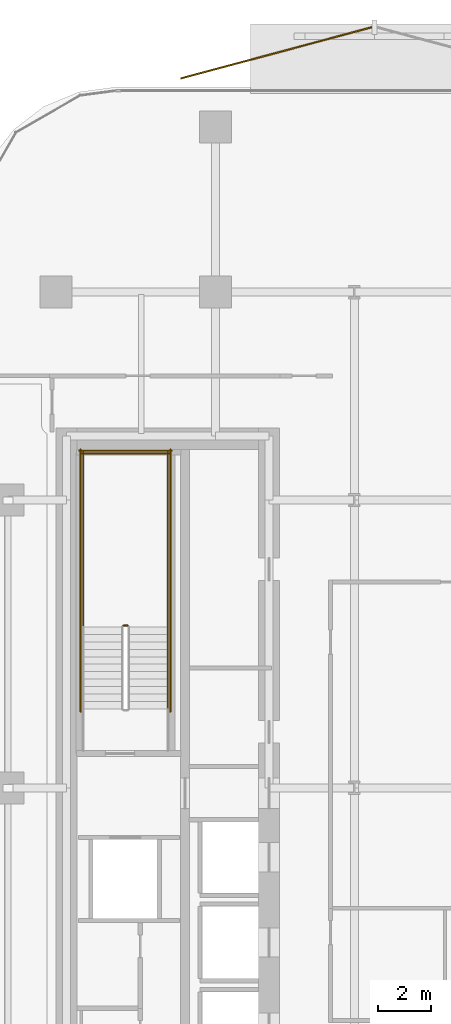
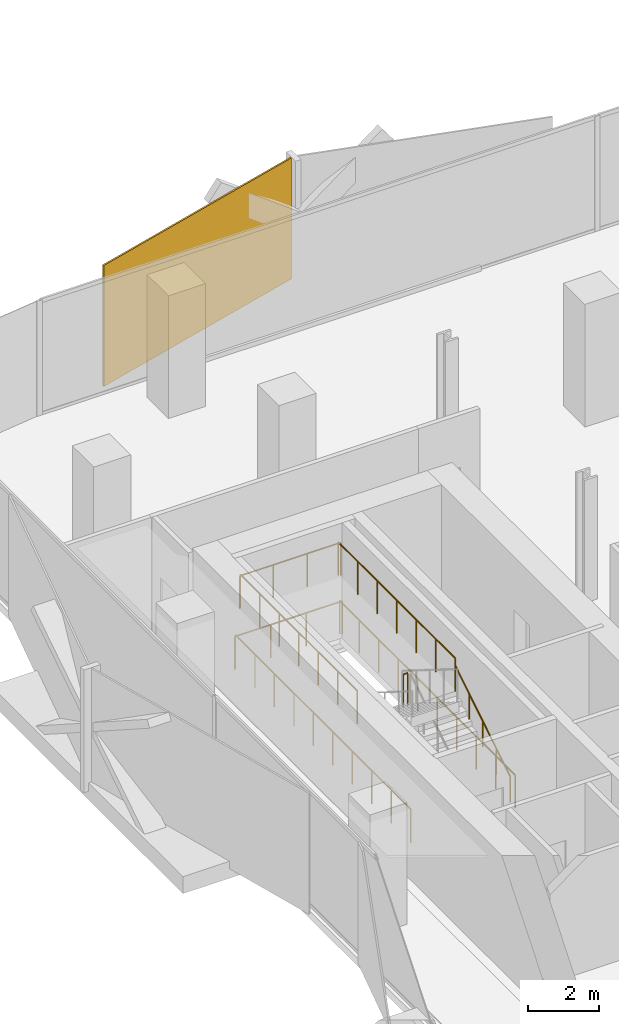
# One storey, part 15 of 16: 8 railings, 1 covering.
"""IFC4 building model written with IfcOpenShell, lengths in metres."""

import ifcopenshell
import ifcopenshell.guid

model = None  # the IFC model being written
_history = None  # IfcOwnerHistory: only IFC2X3 demands one
_inside = {}  # id of a spatial element -> (the spatial element, [elements in it])
_under = {}  # id of a project, library or spatial element -> (it, [spatial elements below it])
_declared = {}  # id of a project -> (the project, [libraries it declares])
_typed = {}  # id of a type object -> (the type object, [elements of that type])
_made_of = {}  # id of a material, layer set ... -> (it, [elements and type objects made of it])


def new_model(schema):
    """Start an empty IFC model of exactly this schema.

    Asked for "IFC4X3", IfcOpenShell would pick the latest addendum, in which some entities
    have other attributes; the version numbers below select the first issue.
    IFC2X3 requires an IfcOwnerHistory on every rooted entity: one is made here for all.
    """
    global model, _history
    if schema == "IFC4X3":
        model = ifcopenshell.file(schema_version=(4, 3, 0, 0))
    else:
        model = ifcopenshell.file(schema=schema)
    _inside.clear()
    _under.clear()
    _declared.clear()
    _typed.clear()
    _made_of.clear()
    _history = None
    if model.schema == "IFC2X3":
        org = make("IfcOrganization", Name="unknown")
        user = make(
            "IfcPersonAndOrganization",
            ThePerson=make("IfcPerson", FamilyName="unknown"),
            TheOrganization=org,
        )
        app = make(
            "IfcApplication",
            ApplicationDeveloper=org,
            Version="unknown",
            ApplicationFullName="unknown",
            ApplicationIdentifier="unknown",
        )
        _history = make(
            "IfcOwnerHistory",
            OwningUser=user,
            OwningApplication=app,
            ChangeAction="ADDED",
            CreationDate=0,
        )
    return model


def make(cls, **values):
    """One entity of the class cls with the attributes given. An attribute that is None is left unset."""
    return model.create_entity(
        cls, **{name: value for name, value in values.items() if value is not None}
    )


def rooted(cls, **values):
    """An entity with a GlobalId (a new one), such as an element, a storey or a relation."""
    return make(cls, GlobalId=ifcopenshell.guid.new(), OwnerHistory=_history, **values)


def si_unit(unit_type, name, prefix=None):
    """IfcSIUnit, for example si_unit("LENGTHUNIT", "METRE", prefix="MILLI")."""
    return make("IfcSIUnit", UnitType=unit_type, Prefix=prefix, Name=name)


def assignment(units):
    """IfcUnitAssignment: the units of a project."""
    return None if units is None else make("IfcUnitAssignment", Units=units)


def point(xyz):
    """IfcCartesianPoint."""
    return None if xyz is None else make("IfcCartesianPoint", Coordinates=xyz)


def direction(xyz):
    """IfcDirection."""
    return None if xyz is None else make("IfcDirection", DirectionRatios=xyz)


def frame(location, z_axis=None, x_axis=None):
    """IfcAxis2Placement3D, a coordinate frame: its origin and axes. An axis left out is left unset."""
    return make(
        "IfcAxis2Placement3D",
        Location=point(location),
        Axis=direction(z_axis),
        RefDirection=direction(x_axis),
    )


def frame_2d(location, x_axis=None):
    """IfcAxis2Placement2D, a coordinate frame in the plane: its origin and x axis."""
    return make(
        "IfcAxis2Placement2D", Location=point(location), RefDirection=direction(x_axis)
    )


def origin():
    """The frame at (0, 0, 0) with its axes left unset."""
    return frame((0.0, 0.0, 0.0))


def origin_2d():
    """The frame at (0, 0) in the plane with its x axis left unset."""
    return frame_2d((0.0, 0.0))


def place(relative_to, where):
    """IfcLocalPlacement: puts the frame where relative to a parent placement (None: the world)."""
    return make(
        "IfcLocalPlacement", PlacementRelTo=relative_to, RelativePlacement=where
    )


def context(
    kind, dimensions, precision=None, world=None, true_north=None, identifier=None
):
    """IfcGeometricRepresentationContext, for example the 3D "Model" context."""
    return make(
        "IfcGeometricRepresentationContext",
        ContextIdentifier=identifier,
        ContextType=kind,
        CoordinateSpaceDimension=dimensions,
        Precision=precision,
        WorldCoordinateSystem=world,
        TrueNorth=true_north,
    )


def subcontext(parent, identifier, kind, view, scale=None):
    """IfcGeometricRepresentationSubContext, for example "Body" below "Model"."""
    return make(
        "IfcGeometricRepresentationSubContext",
        ContextIdentifier=identifier,
        ContextType=kind,
        ParentContext=parent,
        TargetScale=scale,
        TargetView=view,
    )


def project(units=None, contexts=None):
    """IfcProject with its units and contexts."""
    return rooted(
        "IfcProject",
        Name="project",
        RepresentationContexts=contexts,
        UnitsInContext=assignment(units),
    )


def spatial(cls, under=None, at=None, **own):
    """A site, building, storey or space (cls), placed at a placement, below another one or the project."""
    s = rooted(cls, ObjectPlacement=at, **own)
    if under is not None:
        _under.setdefault(under.id(), (under, []))[1].append(s)
    return s


def profile(cls, at=None, kind="AREA", **sizes):
    """A parametric profile (cls). Its sizes go by their IFC names, for example OverallWidth=200.0."""
    return make(cls, ProfileType=kind, Position=at, **sizes)


def rectangle(**sizes):
    """IfcRectangleProfileDef."""
    return profile("IfcRectangleProfileDef", **sizes)


def circle(**sizes):
    """IfcCircleProfileDef."""
    return profile("IfcCircleProfileDef", **sizes)


def extrude(swept, where, along, depth):
    """IfcExtrudedAreaSolid: the profile swept, set in the frame where, extruded along a direction by depth."""
    return make(
        "IfcExtrudedAreaSolid",
        SweptArea=swept,
        Position=where,
        ExtrudedDirection=direction(along),
        Depth=depth,
    )


def shape(context_of_items, identifier, shape_type, items):
    """IfcShapeRepresentation: the items that make up one representation, for example the "Body"."""
    return make(
        "IfcShapeRepresentation",
        ContextOfItems=context_of_items,
        RepresentationIdentifier=identifier,
        RepresentationType=shape_type,
        Items=items,
    )


def material(Name=None, Category=None):
    """IfcMaterial."""
    return make("IfcMaterial", Name=Name, Category=Category)


def layer(
    of_material, thickness, ventilated=None, Name=None, Category=None, Priority=None
):
    """IfcMaterialLayer: one layer of a wall or slab, of a material (None: an air gap)."""
    return make(
        "IfcMaterialLayer",
        Material=of_material,
        LayerThickness=thickness,
        IsVentilated=ventilated,
        Name=Name,
        Category=Category,
        Priority=Priority,
    )


def layer_set(layers, Name=None):
    """IfcMaterialLayerSet."""
    return make("IfcMaterialLayerSet", MaterialLayers=layers, LayerSetName=Name)


def made_of(thing, what):
    """Note that an element or type object is made of a material, layer set ...; save() writes the relation."""
    if what is not None:
        _made_of.setdefault(what.id(), (what, []))[1].append(thing)
    return thing


def type_object(cls, material=None, **own):
    """A type object (cls), such as IfcWallType, which elements share."""
    return made_of(rooted(cls, **own), material)


def element(
    cls,
    number,
    at=None,
    inside=None,
    cuts=None,
    type_object=None,
    material=None,
    context=None,
    identifier="Body",
    shape_type=None,
    held_by="IfcProductDefinitionShape",
    body=None,
    shapes=None,
    **own,
):
    """One element of the class cls, such as IfcWall. Its Tag is "e" and its number.

    at: its placement. inside: the storey or other place that contains it. cuts: it is an
    opening in that element (IfcRelVoidsElement). A single representation is given by context,
    identifier, shape_type and body (its items); several are given by shapes. held_by: the class
    of the entity that holds the representations. save() writes the other relations.
    """
    e = rooted(cls, Tag="e%d" % number, ObjectPlacement=at, **own)
    if body is not None:
        shapes = [shape(context, identifier, shape_type, body)]
    if shapes is not None:
        e.Representation = make(held_by, Representations=shapes)
    if inside is not None:
        _inside.setdefault(inside.id(), (inside, []))[1].append(e)
    if cuts is not None:
        rooted(
            "IfcRelVoidsElement", RelatingBuildingElement=cuts, RelatedOpeningElement=e
        )
    if type_object is not None:
        _typed.setdefault(type_object.id(), (type_object, []))[1].append(e)
    return made_of(e, material)


def aggregate(whole, parts):
    """IfcRelAggregates: a whole, such as a stair, and the parts it consists of."""
    return rooted("IfcRelAggregates", RelatingObject=whole, RelatedObjects=parts)


def save(model, path):
    """Write the relations noted so far, then the file.

    IfcRelAggregates (storeys below a building ...), IfcRelContainedInSpatialStructure (elements
    in a storey), IfcRelDefinesByType, IfcRelAssociatesMaterial and IfcRelDeclares: one each for
    every whole, place, type object, material and project.
    """
    for whole, parts in _under.values():
        aggregate(whole, parts)
    for where, things in _inside.values():
        rooted(
            "IfcRelContainedInSpatialStructure",
            RelatedElements=things,
            RelatingStructure=where,
        )
    for kind, things in _typed.values():
        rooted("IfcRelDefinesByType", RelatedObjects=things, RelatingType=kind)
    for what, things in _made_of.values():
        rooted("IfcRelAssociatesMaterial", RelatedObjects=things, RelatingMaterial=what)
    for by, libraries in _declared.values():
        rooted("IfcRelDeclares", RelatingContext=by, RelatedDefinitions=libraries)
    model.write(path)


model = new_model("IFC4")

# Units and contexts
model_context = context("Model", 3, precision=1e-05, world=origin(), true_north=direction((0.0, 1.0)))
body_context = subcontext(model_context, "Body", "Model", "MODEL_VIEW")
ifc_project = project(units=[si_unit("LENGTHUNIT", "METRE"), si_unit("AREAUNIT", "SQUARE_METRE"), si_unit("VOLUMEUNIT", "CUBIC_METRE"), si_unit("PLANEANGLEUNIT", "RADIAN"), si_unit("MASSUNIT", "GRAM", prefix="KILO")], contexts=[model_context])

# Site, building, storey
site_placement = place(None, origin())
site = spatial("IfcSite", under=ifc_project, at=site_placement, CompositionType="ELEMENT")
building_placement = place(site_placement, origin())
building = spatial("IfcBuilding", under=site, at=building_placement, Name="Khairoan Windgate Tower", CompositionType="ELEMENT")
storey_placement = place(building_placement, frame((0.0, 0.0, 97.39990234375)))
storey = spatial("IfcBuildingStorey", under=building, at=storey_placement, Name="L22", CompositionType="ELEMENT", Elevation=97.39990234375)

# Covering
ifc_material_1 = material(Name="Anodised Bronze Aluminium 6063-T6", Category="aluminium")
ifc_layer = layer(ifc_material_1, 0.054931640625, Name="Anodised Bronze Aluminium 6063-T6")
ifc_layer_set = layer_set([ifc_layer], Name="Anodised Bronze Aluminium 6063-T6")
covering_type = type_object("IfcCoveringType", Name="Perforated Bronze-Ceramic Folded Solar Screen Cladding BSC-1", PredefinedType="CLADDING", material=ifc_layer_set)
covering_placement = place(storey_placement, frame((-12.124755859375, 27.578125, -0.099609375), z_axis=(0.0, 0.0, 1.0), x_axis=(0.965925826289, 0.258819045103, 0.0)))
element("IfcCovering", 1, at=covering_placement, inside=storey, type_object=covering_type, Name="L22 Folded Bronze Solar Screen Facet 125L", PredefinedType="CLADDING", context=body_context, shape_type="SweptSolid", body=[
    extrude(rectangle(XDim=7.431884765625, YDim=0.054931640625, at=origin_2d()), origin(), (0.0, 0.0, 1.0), 4.139892578125),
])

# Railings
ifc_material_2 = material(Name="Anodised Bronze Aluminium 6063-T6", Category="aluminium")
railing_type_1 = type_object("IfcRailingType", Name="Stair Wall Handrail SHR-900", PredefinedType="HANDRAIL", material=ifc_material_2)
railing_1_placement = place(storey_placement, frame((-16.199951171875, 2.9599609375, 0.175048828125)))
element("IfcRailing", 2, at=railing_1_placement, inside=storey, type_object=railing_type_1, Name="L22 ST2 stair handrail 1", PredefinedType="HANDRAIL", context=body_context, shape_type="SweptSolid", body=[
    extrude(circle(Radius=0.02392578125, at=origin_2d()), frame((0.0, 0.0, 0.8759765625), z_axis=(0.0, 0.847998304005, 0.529998940003), x_axis=(-1.0, 0.0, 0.0)), (0.0, 0.0, 1.0), 3.632080078125),
    extrude(circle(Radius=0.02099609375, at=origin_2d()), origin(), (0.0, 0.0, 1.0), 0.851806640625),
    extrude(circle(Radius=0.02099609375, at=origin_2d()), frame((0.0, 0.77001953125, 0.481201171875)), (0.0, 0.0, 1.0), 0.851806640625),
    extrude(circle(Radius=0.02099609375, at=origin_2d()), frame((0.0, 1.5400390625, 0.96240234375)), (0.0, 0.0, 1.0), 0.851806640625),
    extrude(circle(Radius=0.02099609375, at=origin_2d()), frame((0.0, 2.31005859375, 1.44384765625)), (0.0, 0.0, 1.0), 0.851806640625),
    extrude(circle(Radius=0.02099609375, at=origin_2d()), frame((0.0, 3.080078125, 1.925048828125)), (0.0, 0.0, 1.0), 0.851806640625),
])
ifc_material_3 = material(Name="Steel S355", Category="steel")
railing_type_2 = type_object("IfcRailingType", Name="Stairwell Safety Guardrail SGR-1150", PredefinedType="GUARDRAIL", material=ifc_material_3)
railing_2_placement = place(storey_placement, frame((-17.7099609375, 6.090087890625, 2.10009765625)))
element("IfcRailing", 3, at=railing_2_placement, inside=storey, type_object=railing_type_2, Name="L22 ST2 stair guard 2", PredefinedType="GUARDRAIL", context=body_context, shape_type="SweptSolid", body=[
    extrude(circle(Radius=0.02392578125, at=origin_2d()), frame((0.0, 0.0, 1.1259765625), z_axis=(-1.0, 0.0, 0.0), x_axis=(0.0, -1.0, 0.0)), (0.0, 0.0, 1.0), 0.150146484375),
    extrude(circle(Radius=0.02099609375, at=origin_2d()), origin(), (0.0, 0.0, 1.0), 1.101806640625),
    extrude(circle(Radius=0.02099609375, at=origin_2d()), frame((-0.150146484375, 0.0, 0.0)), (0.0, 0.0, 1.0), 1.101806640625),
])
for number, where, name in (
    (4, (-16.199951171875, 6.0400390625, 2.10009765625), "L22 ST2 stair guard 3"),
    (5, (-19.3701171875, 6.0400390625, 2.10009765625), "L22 ST2 stair guard 4"),
):
    element("IfcRailing", number, at=place(storey_placement, frame(where)), inside=storey, type_object=railing_type_2, Name=name, PredefinedType="GUARDRAIL", context=body_context, shape_type="SweptSolid", body=[
        extrude(circle(Radius=0.02392578125, at=origin_2d()), frame((0.0, 0.0, 1.1259765625), z_axis=(0.0, 1.0, 0.0), x_axis=(-1.0, 0.0, 0.0)), (0.0, 0.0, 1.0), 6.56005859375),
        extrude(circle(Radius=0.02099609375, at=origin_2d()), origin(), (0.0, 0.0, 1.0), 1.101806640625),
        extrude(circle(Radius=0.02099609375, at=origin_2d()), frame((0.0, 1.09326171875, 0.0)), (0.0, 0.0, 1.0), 1.101806640625),
        extrude(circle(Radius=0.02099609375, at=origin_2d()), frame((0.0, 2.186767578125, 0.0)), (0.0, 0.0, 1.0), 1.101806640625),
        extrude(circle(Radius=0.02099609375, at=origin_2d()), frame((0.0, 3.280029296875, 0.0)), (0.0, 0.0, 1.0), 1.101806640625),
        extrude(circle(Radius=0.02099609375, at=origin_2d()), frame((0.0, 4.373291015625, 0.0)), (0.0, 0.0, 1.0), 1.101806640625),
        extrude(circle(Radius=0.02099609375, at=origin_2d()), frame((0.0, 5.466796875, 0.0)), (0.0, 0.0, 1.0), 1.101806640625),
        extrude(circle(Radius=0.02099609375, at=origin_2d()), frame((0.0, 6.56005859375, 0.0)), (0.0, 0.0, 1.0), 1.101806640625),
    ])
railing_3_placement = place(storey_placement, frame((-16.14990234375, 12.550048828125, 2.10009765625)))
element("IfcRailing", 6, at=railing_3_placement, inside=storey, type_object=railing_type_2, Name="L22 ST2 stair guard 5", PredefinedType="GUARDRAIL", context=body_context, shape_type="SweptSolid", body=[
    extrude(circle(Radius=0.02392578125, at=origin_2d()), frame((0.0, 0.0, 1.1259765625), z_axis=(-1.0, 0.0, 0.0), x_axis=(0.0, -1.0, 0.0)), (0.0, 0.0, 1.0), 3.27001953125),
    extrude(circle(Radius=0.02099609375, at=origin_2d()), origin(), (0.0, 0.0, 1.0), 1.101806640625),
    extrude(circle(Radius=0.02099609375, at=origin_2d()), frame((-1.090087890625, 0.0, 0.0)), (0.0, 0.0, 1.0), 1.101806640625),
    extrude(circle(Radius=0.02099609375, at=origin_2d()), frame((-2.179931640625, 0.0, 0.0)), (0.0, 0.0, 1.0), 1.101806640625),
    extrude(circle(Radius=0.02099609375, at=origin_2d()), frame((-3.27001953125, 0.0, 0.0)), (0.0, 0.0, 1.0), 1.101806640625),
])
for number, where, name in (
    (7, (-16.10009765625, 2.860107421875, 0.0), "L22 ST2 stair guard 10"),
    (8, (-19.469970703125, 2.860107421875, 0.0), "L22 ST2 stair guard 11"),
):
    element("IfcRailing", number, at=place(storey_placement, frame(where)), inside=storey, type_object=railing_type_2, Name=name, PredefinedType="GUARDRAIL", context=body_context, shape_type="SweptSolid", body=[
        extrude(circle(Radius=0.02392578125, at=origin_2d()), frame((0.0, 0.0, 1.1259765625), z_axis=(0.0, 1.0, 0.0), x_axis=(-1.0, 0.0, 0.0)), (0.0, 0.0, 1.0), 9.83984375),
        extrude(circle(Radius=0.02099609375, at=origin_2d()), origin(), (0.0, 0.0, 1.0), 1.101806640625),
        extrude(circle(Radius=0.02099609375, at=origin_2d()), frame((0.0, 1.09326171875, 0.0)), (0.0, 0.0, 1.0), 1.101806640625),
        extrude(circle(Radius=0.02099609375, at=origin_2d()), frame((0.0, 2.1865234375, 0.0)), (0.0, 0.0, 1.0), 1.101806640625),
        extrude(circle(Radius=0.02099609375, at=origin_2d()), frame((0.0, 3.280029296875, 0.0)), (0.0, 0.0, 1.0), 1.101806640625),
        extrude(circle(Radius=0.02099609375, at=origin_2d()), frame((0.0, 4.373291015625, 0.0)), (0.0, 0.0, 1.0), 1.101806640625),
        extrude(circle(Radius=0.02099609375, at=origin_2d()), frame((0.0, 5.466552734375, 0.0)), (0.0, 0.0, 1.0), 1.101806640625),
        extrude(circle(Radius=0.02099609375, at=origin_2d()), frame((0.0, 6.559814453125, 0.0)), (0.0, 0.0, 1.0), 1.101806640625),
        extrude(circle(Radius=0.02099609375, at=origin_2d()), frame((0.0, 7.6533203125, 0.0)), (0.0, 0.0, 1.0), 1.101806640625),
        extrude(circle(Radius=0.02099609375, at=origin_2d()), frame((0.0, 8.74658203125, 0.0)), (0.0, 0.0, 1.0), 1.101806640625),
        extrude(circle(Radius=0.02099609375, at=origin_2d()), frame((0.0, 9.83984375, 0.0)), (0.0, 0.0, 1.0), 1.101806640625),
    ])
railing_4_placement = place(storey_placement, frame((-16.050048828125, 12.64990234375, 0.0)))
element("IfcRailing", 9, at=railing_4_placement, inside=storey, type_object=railing_type_2, Name="L22 ST2 stair guard 12", PredefinedType="GUARDRAIL", context=body_context, shape_type="SweptSolid", body=[
    extrude(circle(Radius=0.02392578125, at=origin_2d()), frame((0.0, 0.0, 1.1259765625), z_axis=(-1.0, 0.0, 0.0), x_axis=(0.0, -1.0, 0.0)), (0.0, 0.0, 1.0), 3.469970703125),
    extrude(circle(Radius=0.02099609375, at=origin_2d()), origin(), (0.0, 0.0, 1.0), 1.101806640625),
    extrude(circle(Radius=0.02099609375, at=origin_2d()), frame((-1.15673828125, 0.0, 0.0)), (0.0, 0.0, 1.0), 1.101806640625),
    extrude(circle(Radius=0.02099609375, at=origin_2d()), frame((-2.313232421875, 0.0, 0.0)), (0.0, 0.0, 1.0), 1.101806640625),
    extrude(circle(Radius=0.02099609375, at=origin_2d()), frame((-3.469970703125, 0.0, 0.0)), (0.0, 0.0, 1.0), 1.101806640625),
])

save(model, "model.ifc")
